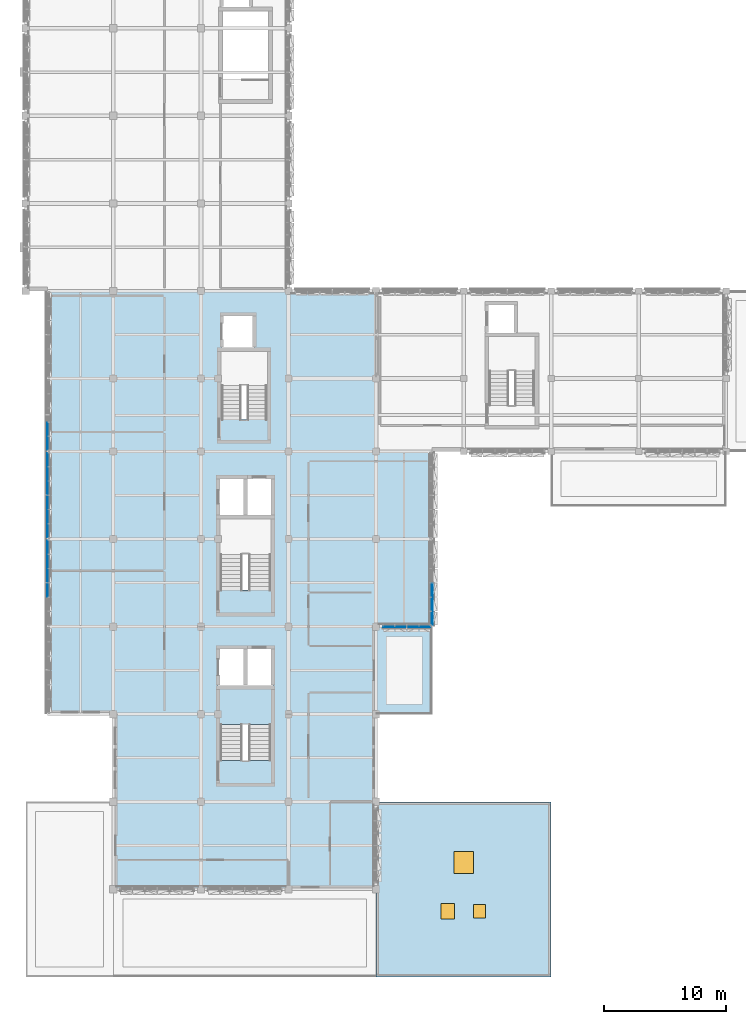
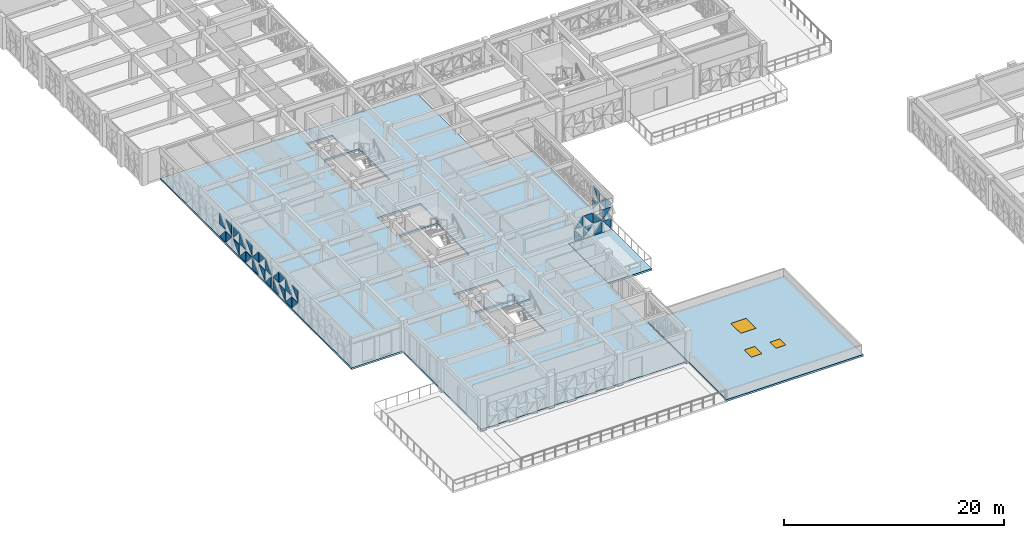
# One storey, part 26 of 74: 38 plates, 4 slabs, 2 doors, 1 window, 3 openings, 6 elements without a shape of their own.
"""IFC4 building model written with IfcOpenShell, lengths in metres."""

import ifcopenshell
import ifcopenshell.guid

model = None  # the IFC model being written
_history = None  # IfcOwnerHistory: only IFC2X3 demands one
_inside = {}  # id of a spatial element -> (the spatial element, [elements in it])
_under = {}  # id of a project, library or spatial element -> (it, [spatial elements below it])
_declared = {}  # id of a project -> (the project, [libraries it declares])
_typed = {}  # id of a type object -> (the type object, [elements of that type])
_made_of = {}  # id of a material, layer set ... -> (it, [elements and type objects made of it])


def new_model(schema):
    """Start an empty IFC model of exactly this schema.

    Asked for "IFC4X3", IfcOpenShell would pick the latest addendum, in which some entities
    have other attributes; the version numbers below select the first issue.
    IFC2X3 requires an IfcOwnerHistory on every rooted entity: one is made here for all.
    """
    global model, _history
    if schema == "IFC4X3":
        model = ifcopenshell.file(schema_version=(4, 3, 0, 0))
    else:
        model = ifcopenshell.file(schema=schema)
    _inside.clear()
    _under.clear()
    _declared.clear()
    _typed.clear()
    _made_of.clear()
    _history = None
    if model.schema == "IFC2X3":
        org = make("IfcOrganization", Name="unknown")
        user = make(
            "IfcPersonAndOrganization",
            ThePerson=make("IfcPerson", FamilyName="unknown"),
            TheOrganization=org,
        )
        app = make(
            "IfcApplication",
            ApplicationDeveloper=org,
            Version="unknown",
            ApplicationFullName="unknown",
            ApplicationIdentifier="unknown",
        )
        _history = make(
            "IfcOwnerHistory",
            OwningUser=user,
            OwningApplication=app,
            ChangeAction="ADDED",
            CreationDate=0,
        )
    return model


def make(cls, **values):
    """One entity of the class cls with the attributes given. An attribute that is None is left unset."""
    return model.create_entity(
        cls, **{name: value for name, value in values.items() if value is not None}
    )


def rooted(cls, **values):
    """An entity with a GlobalId (a new one), such as an element, a storey or a relation."""
    return make(cls, GlobalId=ifcopenshell.guid.new(), OwnerHistory=_history, **values)


def si_unit(unit_type, name, prefix=None):
    """IfcSIUnit, for example si_unit("LENGTHUNIT", "METRE", prefix="MILLI")."""
    return make("IfcSIUnit", UnitType=unit_type, Prefix=prefix, Name=name)


def assignment(units):
    """IfcUnitAssignment: the units of a project."""
    return None if units is None else make("IfcUnitAssignment", Units=units)


def point(xyz):
    """IfcCartesianPoint."""
    return None if xyz is None else make("IfcCartesianPoint", Coordinates=xyz)


def direction(xyz):
    """IfcDirection."""
    return None if xyz is None else make("IfcDirection", DirectionRatios=xyz)


def frame(location, z_axis=None, x_axis=None):
    """IfcAxis2Placement3D, a coordinate frame: its origin and axes. An axis left out is left unset."""
    return make(
        "IfcAxis2Placement3D",
        Location=point(location),
        Axis=direction(z_axis),
        RefDirection=direction(x_axis),
    )


def frame_2d(location, x_axis=None):
    """IfcAxis2Placement2D, a coordinate frame in the plane: its origin and x axis."""
    return make(
        "IfcAxis2Placement2D", Location=point(location), RefDirection=direction(x_axis)
    )


def origin():
    """The frame at (0, 0, 0) with its axes left unset."""
    return frame((0.0, 0.0, 0.0))


def origin_2d():
    """The frame at (0, 0) in the plane with its x axis left unset."""
    return frame_2d((0.0, 0.0))


def place(relative_to, where):
    """IfcLocalPlacement: puts the frame where relative to a parent placement (None: the world)."""
    return make(
        "IfcLocalPlacement", PlacementRelTo=relative_to, RelativePlacement=where
    )


def context(
    kind, dimensions, precision=None, world=None, true_north=None, identifier=None
):
    """IfcGeometricRepresentationContext, for example the 3D "Model" context."""
    return make(
        "IfcGeometricRepresentationContext",
        ContextIdentifier=identifier,
        ContextType=kind,
        CoordinateSpaceDimension=dimensions,
        Precision=precision,
        WorldCoordinateSystem=world,
        TrueNorth=true_north,
    )


def subcontext(parent, identifier, kind, view, scale=None):
    """IfcGeometricRepresentationSubContext, for example "Body" below "Model"."""
    return make(
        "IfcGeometricRepresentationSubContext",
        ContextIdentifier=identifier,
        ContextType=kind,
        ParentContext=parent,
        TargetScale=scale,
        TargetView=view,
    )


def project(units=None, contexts=None):
    """IfcProject with its units and contexts."""
    return rooted(
        "IfcProject",
        Name="project",
        RepresentationContexts=contexts,
        UnitsInContext=assignment(units),
    )


def spatial(cls, under=None, at=None, **own):
    """A site, building, storey or space (cls), placed at a placement, below another one or the project."""
    s = rooted(cls, ObjectPlacement=at, **own)
    if under is not None:
        _under.setdefault(under.id(), (under, []))[1].append(s)
    return s


def polyline(points):
    """IfcPolyline through the points."""
    return make("IfcPolyline", Points=[point(p) for p in points])


def profile(cls, at=None, kind="AREA", **sizes):
    """A parametric profile (cls). Its sizes go by their IFC names, for example OverallWidth=200.0."""
    return make(cls, ProfileType=kind, Position=at, **sizes)


def rectangle(**sizes):
    """IfcRectangleProfileDef."""
    return profile("IfcRectangleProfileDef", **sizes)


def outline(outer, holes=None, kind="AREA"):
    """IfcArbitraryClosedProfileDef: a profile drawn as a closed curve; with holes, ...WithVoids."""
    if holes is None:
        return make("IfcArbitraryClosedProfileDef", ProfileType=kind, OuterCurve=outer)
    return make(
        "IfcArbitraryProfileDefWithVoids",
        ProfileType=kind,
        OuterCurve=outer,
        InnerCurves=holes,
    )


def extrude(swept, where, along, depth):
    """IfcExtrudedAreaSolid: the profile swept, set in the frame where, extruded along a direction by depth."""
    return make(
        "IfcExtrudedAreaSolid",
        SweptArea=swept,
        Position=where,
        ExtrudedDirection=direction(along),
        Depth=depth,
    )


def shape(context_of_items, identifier, shape_type, items):
    """IfcShapeRepresentation: the items that make up one representation, for example the "Body"."""
    return make(
        "IfcShapeRepresentation",
        ContextOfItems=context_of_items,
        RepresentationIdentifier=identifier,
        RepresentationType=shape_type,
        Items=items,
    )


def material(Name=None, Category=None):
    """IfcMaterial."""
    return make("IfcMaterial", Name=Name, Category=Category)


def layer(
    of_material, thickness, ventilated=None, Name=None, Category=None, Priority=None
):
    """IfcMaterialLayer: one layer of a wall or slab, of a material (None: an air gap)."""
    return make(
        "IfcMaterialLayer",
        Material=of_material,
        LayerThickness=thickness,
        IsVentilated=ventilated,
        Name=Name,
        Category=Category,
        Priority=Priority,
    )


def layer_set(layers, Name=None):
    """IfcMaterialLayerSet."""
    return make("IfcMaterialLayerSet", MaterialLayers=layers, LayerSetName=Name)


def made_of(thing, what):
    """Note that an element or type object is made of a material, layer set ...; save() writes the relation."""
    if what is not None:
        _made_of.setdefault(what.id(), (what, []))[1].append(thing)
    return thing


def type_object(cls, material=None, **own):
    """A type object (cls), such as IfcWallType, which elements share."""
    return made_of(rooted(cls, **own), material)


def element(
    cls,
    number,
    at=None,
    inside=None,
    cuts=None,
    type_object=None,
    material=None,
    context=None,
    identifier="Body",
    shape_type=None,
    held_by="IfcProductDefinitionShape",
    body=None,
    shapes=None,
    **own,
):
    """One element of the class cls, such as IfcWall. Its Tag is "e" and its number.

    at: its placement. inside: the storey or other place that contains it. cuts: it is an
    opening in that element (IfcRelVoidsElement). A single representation is given by context,
    identifier, shape_type and body (its items); several are given by shapes. held_by: the class
    of the entity that holds the representations. save() writes the other relations.
    """
    e = rooted(cls, Tag="e%d" % number, ObjectPlacement=at, **own)
    if body is not None:
        shapes = [shape(context, identifier, shape_type, body)]
    if shapes is not None:
        e.Representation = make(held_by, Representations=shapes)
    if inside is not None:
        _inside.setdefault(inside.id(), (inside, []))[1].append(e)
    if cuts is not None:
        rooted(
            "IfcRelVoidsElement", RelatingBuildingElement=cuts, RelatedOpeningElement=e
        )
    if type_object is not None:
        _typed.setdefault(type_object.id(), (type_object, []))[1].append(e)
    return made_of(e, material)


def fill(opening, filler):
    """IfcRelFillsElement: the door or window that sits in an opening."""
    return rooted(
        "IfcRelFillsElement",
        RelatingOpeningElement=opening,
        RelatedBuildingElement=filler,
    )


def aggregate(whole, parts):
    """IfcRelAggregates: a whole, such as a stair, and the parts it consists of."""
    return rooted("IfcRelAggregates", RelatingObject=whole, RelatedObjects=parts)


def save(model, path):
    """Write the relations noted so far, then the file.

    IfcRelAggregates (storeys below a building ...), IfcRelContainedInSpatialStructure (elements
    in a storey), IfcRelDefinesByType, IfcRelAssociatesMaterial and IfcRelDeclares: one each for
    every whole, place, type object, material and project.
    """
    for whole, parts in _under.values():
        aggregate(whole, parts)
    for where, things in _inside.values():
        rooted(
            "IfcRelContainedInSpatialStructure",
            RelatedElements=things,
            RelatingStructure=where,
        )
    for kind, things in _typed.values():
        rooted("IfcRelDefinesByType", RelatedObjects=things, RelatingType=kind)
    for what, things in _made_of.values():
        rooted("IfcRelAssociatesMaterial", RelatedObjects=things, RelatingMaterial=what)
    for by, libraries in _declared.values():
        rooted("IfcRelDeclares", RelatingContext=by, RelatedDefinitions=libraries)
    model.write(path)


model = new_model("IFC4")

# Units and contexts
model_context = context("Model", 3, precision=1e-05, world=origin(), true_north=direction((0.0, 1.0)))
body_context = subcontext(model_context, "Body", "Model", "MODEL_VIEW")
ifc_project = project(units=[si_unit("LENGTHUNIT", "METRE"), si_unit("AREAUNIT", "SQUARE_METRE"), si_unit("VOLUMEUNIT", "CUBIC_METRE"), si_unit("PLANEANGLEUNIT", "RADIAN"), si_unit("MASSUNIT", "GRAM", prefix="KILO")], contexts=[model_context])

# Site, building, storey
site_placement = place(None, origin())
site = spatial("IfcSite", under=ifc_project, at=site_placement, CompositionType="ELEMENT")
building_placement = place(site_placement, origin())
building = spatial("IfcBuilding", under=site, at=building_placement, Name="Alvorim Cloister Faculty of Sciences", CompositionType="ELEMENT")
storey_placement = place(building_placement, frame((0.0, 0.0, 15.75)))
storey = spatial("IfcBuildingStorey", under=building, at=storey_placement, Name="L04", CompositionType="ELEMENT", Elevation=15.75)

# Curtain wall, plates
ifc_material_1 = material(Name="Aluminium and Low-E Glass Curtain Wall", Category="aluminium")
curtain_wall_type_1 = type_object("IfcCurtainWallType", Name="CW-TRI-7040x2857", PredefinedType="USERDEFINED", material=ifc_material_1)
curtain_wall_1_placement = place(storey_placement, origin())
curtain_wall_1 = element("IfcCurtainWall", 1, at=curtain_wall_1_placement, inside=storey, type_object=curtain_wall_type_1, Name="L04 Diagonal Cassette Curtain Wall CW-0166", ObjectType="UNITISED CURTAIN WALL", PredefinedType="USERDEFINED")
ifc_material_2 = material(Name="Double Low-E Laminated Glass", Category="glass")
ifc_layer_1 = layer(ifc_material_2, 0.0400390625)
ifc_layer_set_1 = layer_set([ifc_layer_1], Name="Double Low-E Laminated Glass")
plate_type = type_object("IfcPlateType", Name="PN-GLZ-40", PredefinedType="CURTAIN_PANEL", material=ifc_layer_set_1)
plate_1_placement = place(storey_placement, frame((1.77490234375, 31.25927734375, 0.139892578125), z_axis=(0.0, 0.0, 1.0), x_axis=(0.0, 1.0, 0.0)))
plate_1 = element("IfcPlate", 2, at=plate_1_placement, type_object=plate_type, Name="Diagonal Glazed Triangle TRI-TR", PredefinedType="CURTAIN_PANEL", context=body_context, shape_type="SweptSolid", body=[
    extrude(outline(polyline([(1.1083984375, 0.001953125), (1.1083984375, 1.218505859375), (0.001953125, 1.218505859375), (1.1083984375, 0.001953125)])), frame((0.0, 0.02490234375, 0.0), z_axis=(0.0, -1.0, 0.0), x_axis=(1.0, 0.0, 0.0)), (0.0, 0.0, 1.0), 0.050048828125),
])
plate_2_placement = place(storey_placement, frame((1.77490234375, 31.25927734375, 1.49853515625), z_axis=(0.0, 0.0, 1.0), x_axis=(0.0, 1.0, 0.0)))
plate_2 = element("IfcPlate", 3, at=plate_2_placement, type_object=plate_type, Name="Diagonal Glazed Triangle TRI-TL", PredefinedType="CURTAIN_PANEL", context=body_context, shape_type="SweptSolid", body=[
    extrude(outline(polyline([(1.1064453125, 1.218505859375), (0.0, 1.218505859375), (0.0, 0.001953125), (1.1064453125, 1.218505859375)])), frame((0.0, 0.02490234375, 0.0), z_axis=(0.0, -1.0, 0.0), x_axis=(1.0, 0.0, 0.0)), (0.0, 0.0, 1.0), 0.050048828125),
])
plate_3_placement = place(storey_placement, frame((1.77490234375, 32.4326171875, 0.139892578125), z_axis=(0.0, 0.0, 1.0), x_axis=(0.0, 1.0, 0.0)))
plate_3 = element("IfcPlate", 4, at=plate_3_placement, type_object=plate_type, Name="Diagonal Glazed Triangle TRI-BL", PredefinedType="CURTAIN_PANEL", context=body_context, shape_type="SweptSolid", body=[
    extrude(outline(polyline([(0.0, 0.0), (1.1064453125, 0.0), (0.0, 1.216552734375), (0.0, 0.0)])), frame((0.0, 0.02490234375, 0.0), z_axis=(0.0, -1.0, 0.0), x_axis=(1.0, 0.0, 0.0)), (0.0, 0.0, 1.0), 0.050048828125),
])
plate_4_placement = place(storey_placement, frame((1.77490234375, 32.4326171875, 1.49853515625), z_axis=(0.0, 0.0, 1.0), x_axis=(0.0, 1.0, 0.0)))
plate_4 = element("IfcPlate", 5, at=plate_4_placement, type_object=plate_type, Name="Diagonal Glazed Triangle TRI-BR", PredefinedType="CURTAIN_PANEL", context=body_context, shape_type="SweptSolid", body=[
    extrude(outline(polyline([(0.001953125, 0.0), (1.1083984375, 0.0), (1.1083984375, 1.216552734375), (0.001953125, 0.0)])), frame((0.0, 0.02490234375, 0.0), z_axis=(0.0, -1.0, 0.0), x_axis=(1.0, 0.0, 0.0)), (0.0, 0.0, 1.0), 0.050048828125),
])
plate_5_placement = place(storey_placement, frame((1.77490234375, 33.605712890625, 0.139892578125), z_axis=(0.0, 0.0, 1.0), x_axis=(0.0, 1.0, 0.0)))
plate_5 = element("IfcPlate", 6, at=plate_5_placement, type_object=plate_type, Name="Diagonal Glazed Triangle TRI-TL", PredefinedType="CURTAIN_PANEL", context=body_context, shape_type="SweptSolid", body=[
    extrude(outline(polyline([(1.1064453125, 1.218505859375), (0.0, 1.218505859375), (0.0, 0.001953125), (1.1064453125, 1.218505859375)])), frame((0.0, 0.02490234375, 0.0), z_axis=(0.0, -1.0, 0.0), x_axis=(1.0, 0.0, 0.0)), (0.0, 0.0, 1.0), 0.050048828125),
])
plate_6_placement = place(storey_placement, frame((1.77490234375, 33.605712890625, 1.49853515625), z_axis=(0.0, 0.0, 1.0), x_axis=(0.0, 1.0, 0.0)))
plate_6 = element("IfcPlate", 7, at=plate_6_placement, type_object=plate_type, Name="Diagonal Glazed Triangle TRI-TR", PredefinedType="CURTAIN_PANEL", context=body_context, shape_type="SweptSolid", body=[
    extrude(outline(polyline([(1.1083984375, 0.001953125), (1.1083984375, 1.218505859375), (0.001953125, 1.218505859375), (1.1083984375, 0.001953125)])), frame((0.0, 0.02490234375, 0.0), z_axis=(0.0, -1.0, 0.0), x_axis=(1.0, 0.0, 0.0)), (0.0, 0.0, 1.0), 0.050048828125),
])
plate_7_placement = place(storey_placement, frame((1.77490234375, 34.779052734375, 0.139892578125), z_axis=(0.0, 0.0, 1.0), x_axis=(0.0, 1.0, 0.0)))
plate_7 = element("IfcPlate", 8, at=plate_7_placement, type_object=plate_type, Name="Diagonal Glazed Triangle TRI-BR", PredefinedType="CURTAIN_PANEL", context=body_context, shape_type="SweptSolid", body=[
    extrude(outline(polyline([(0.001953125, 0.0), (1.075927734375, 0.0), (1.075927734375, 1.216552734375), (0.001953125, 0.0)])), frame((0.0, 0.02490234375, 0.0), z_axis=(0.0, -1.0, 0.0), x_axis=(1.0, 0.0, 0.0)), (0.0, 0.0, 1.0), 0.050048828125),
])
plate_8_placement = place(storey_placement, frame((1.77490234375, 34.779052734375, 1.49853515625), z_axis=(0.0, 0.0, 1.0), x_axis=(0.0, 1.0, 0.0)))
plate_8 = element("IfcPlate", 9, at=plate_8_placement, type_object=plate_type, Name="Diagonal Glazed Triangle TRI-BL", PredefinedType="CURTAIN_PANEL", context=body_context, shape_type="SweptSolid", body=[
    extrude(outline(polyline([(0.0, 0.0), (1.073974609375, 0.0), (0.0, 1.216552734375), (0.0, 0.0)])), frame((0.0, 0.02490234375, 0.0), z_axis=(0.0, -1.0, 0.0), x_axis=(1.0, 0.0, 0.0)), (0.0, 0.0, 1.0), 0.050048828125),
])
aggregate(curtain_wall_1, [plate_1, plate_2, plate_3, plate_4, plate_5, plate_6, plate_7, plate_8])

curtain_wall_2_placement = place(storey_placement, origin())
curtain_wall_2 = element("IfcCurtainWall", 10, at=curtain_wall_2_placement, inside=storey, type_object=curtain_wall_type_1, Name="L04 Diagonal Cassette Curtain Wall CW-0167", ObjectType="UNITISED CURTAIN WALL", PredefinedType="USERDEFINED")
plate_9_placement = place(storey_placement, frame((1.77490234375, 36.14501953125, 0.139892578125), z_axis=(0.0, 0.0, 1.0), x_axis=(0.0, 1.0, 0.0)))
plate_9 = element("IfcPlate", 11, at=plate_9_placement, type_object=plate_type, Name="Diagonal Glazed Triangle TRI-BL", PredefinedType="CURTAIN_PANEL", context=body_context, shape_type="SweptSolid", body=[
    extrude(outline(polyline([(0.0, 0.0), (1.073974609375, 0.0), (0.0, 1.216552734375), (0.0, 0.0)])), frame((0.0, 0.02490234375, 0.0), z_axis=(0.0, -1.0, 0.0), x_axis=(1.0, 0.0, 0.0)), (0.0, 0.0, 1.0), 0.050048828125),
])
plate_10_placement = place(storey_placement, frame((1.77490234375, 36.14501953125, 1.49853515625), z_axis=(0.0, 0.0, 1.0), x_axis=(0.0, 1.0, 0.0)))
plate_10 = element("IfcPlate", 12, at=plate_10_placement, type_object=plate_type, Name="Diagonal Glazed Triangle TRI-BR", PredefinedType="CURTAIN_PANEL", context=body_context, shape_type="SweptSolid", body=[
    extrude(outline(polyline([(0.001953125, 0.0), (1.075927734375, 0.0), (1.075927734375, 1.216552734375), (0.001953125, 0.0)])), frame((0.0, 0.02490234375, 0.0), z_axis=(0.0, -1.0, 0.0), x_axis=(1.0, 0.0, 0.0)), (0.0, 0.0, 1.0), 0.050048828125),
])
plate_11_placement = place(storey_placement, frame((1.77490234375, 37.285888671875, 0.139892578125), z_axis=(0.0, 0.0, 1.0), x_axis=(0.0, 1.0, 0.0)))
plate_11 = element("IfcPlate", 13, at=plate_11_placement, type_object=plate_type, Name="Diagonal Glazed Triangle TRI-TL", PredefinedType="CURTAIN_PANEL", context=body_context, shape_type="SweptSolid", body=[
    extrude(outline(polyline([(1.1064453125, 1.218505859375), (0.0, 1.218505859375), (0.0, 0.001953125), (1.1064453125, 1.218505859375)])), frame((0.0, 0.02490234375, 0.0), z_axis=(0.0, -1.0, 0.0), x_axis=(1.0, 0.0, 0.0)), (0.0, 0.0, 1.0), 0.050048828125),
])
plate_12_placement = place(storey_placement, frame((1.77490234375, 37.285888671875, 1.49853515625), z_axis=(0.0, 0.0, 1.0), x_axis=(0.0, 1.0, 0.0)))
plate_12 = element("IfcPlate", 14, at=plate_12_placement, type_object=plate_type, Name="Diagonal Glazed Triangle TRI-TR", PredefinedType="CURTAIN_PANEL", context=body_context, shape_type="SweptSolid", body=[
    extrude(outline(polyline([(1.1083984375, 0.001953125), (1.1083984375, 1.218505859375), (0.001953125, 1.218505859375), (1.1083984375, 0.001953125)])), frame((0.0, 0.02490234375, 0.0), z_axis=(0.0, -1.0, 0.0), x_axis=(1.0, 0.0, 0.0)), (0.0, 0.0, 1.0), 0.050048828125),
])
plate_13_placement = place(storey_placement, frame((1.77490234375, 38.459228515625, 0.139892578125), z_axis=(0.0, 0.0, 1.0), x_axis=(0.0, 1.0, 0.0)))
plate_13 = element("IfcPlate", 15, at=plate_13_placement, type_object=plate_type, Name="Diagonal Glazed Triangle TRI-BR", PredefinedType="CURTAIN_PANEL", context=body_context, shape_type="SweptSolid", body=[
    extrude(outline(polyline([(0.001953125, 0.0), (1.1083984375, 0.0), (1.1083984375, 1.216552734375), (0.001953125, 0.0)])), frame((0.0, 0.02490234375, 0.0), z_axis=(0.0, -1.0, 0.0), x_axis=(1.0, 0.0, 0.0)), (0.0, 0.0, 1.0), 0.050048828125),
])
plate_14_placement = place(storey_placement, frame((1.77490234375, 38.459228515625, 1.49853515625), z_axis=(0.0, 0.0, 1.0), x_axis=(0.0, 1.0, 0.0)))
plate_14 = element("IfcPlate", 16, at=plate_14_placement, type_object=plate_type, Name="Diagonal Glazed Triangle TRI-BL", PredefinedType="CURTAIN_PANEL", context=body_context, shape_type="SweptSolid", body=[
    extrude(outline(polyline([(0.0, 0.0), (1.1064453125, 0.0), (0.0, 1.216552734375), (0.0, 0.0)])), frame((0.0, 0.02490234375, 0.0), z_axis=(0.0, -1.0, 0.0), x_axis=(1.0, 0.0, 0.0)), (0.0, 0.0, 1.0), 0.050048828125),
])
plate_15_placement = place(storey_placement, frame((1.77490234375, 39.632568359375, 0.139892578125), z_axis=(0.0, 0.0, 1.0), x_axis=(0.0, 1.0, 0.0)))
plate_15 = element("IfcPlate", 17, at=plate_15_placement, type_object=plate_type, Name="Diagonal Glazed Triangle TRI-TR", PredefinedType="CURTAIN_PANEL", context=body_context, shape_type="SweptSolid", body=[
    extrude(outline(polyline([(1.1083984375, 0.001953125), (1.1083984375, 1.218505859375), (0.001953125, 1.218505859375), (1.1083984375, 0.001953125)])), frame((0.0, 0.02490234375, 0.0), z_axis=(0.0, -1.0, 0.0), x_axis=(1.0, 0.0, 0.0)), (0.0, 0.0, 1.0), 0.050048828125),
])
plate_16_placement = place(storey_placement, frame((1.77490234375, 39.632568359375, 1.49853515625), z_axis=(0.0, 0.0, 1.0), x_axis=(0.0, 1.0, 0.0)))
plate_16 = element("IfcPlate", 18, at=plate_16_placement, type_object=plate_type, Name="Diagonal Glazed Triangle TRI-TL", PredefinedType="CURTAIN_PANEL", context=body_context, shape_type="SweptSolid", body=[
    extrude(outline(polyline([(1.1064453125, 1.218505859375), (0.0, 1.218505859375), (0.0, 0.001953125), (1.1064453125, 1.218505859375)])), frame((0.0, 0.02490234375, 0.0), z_axis=(0.0, -1.0, 0.0), x_axis=(1.0, 0.0, 0.0)), (0.0, 0.0, 1.0), 0.050048828125),
])
plate_17_placement = place(storey_placement, frame((1.77490234375, 40.805908203125, 0.139892578125), z_axis=(0.0, 0.0, 1.0), x_axis=(0.0, 1.0, 0.0)))
plate_17 = element("IfcPlate", 19, at=plate_17_placement, type_object=plate_type, Name="Diagonal Glazed Triangle TRI-BL", PredefinedType="CURTAIN_PANEL", context=body_context, shape_type="SweptSolid", body=[
    extrude(outline(polyline([(0.0, 0.0), (1.1064453125, 0.0), (0.0, 1.216552734375), (0.0, 0.0)])), frame((0.0, 0.02490234375, 0.0), z_axis=(0.0, -1.0, 0.0), x_axis=(1.0, 0.0, 0.0)), (0.0, 0.0, 1.0), 0.050048828125),
])
plate_18_placement = place(storey_placement, frame((1.77490234375, 40.805908203125, 1.49853515625), z_axis=(0.0, 0.0, 1.0), x_axis=(0.0, 1.0, 0.0)))
plate_18 = element("IfcPlate", 20, at=plate_18_placement, type_object=plate_type, Name="Diagonal Glazed Triangle TRI-BR", PredefinedType="CURTAIN_PANEL", context=body_context, shape_type="SweptSolid", body=[
    extrude(outline(polyline([(0.001953125, 0.0), (1.1083984375, 0.0), (1.1083984375, 1.216552734375), (0.001953125, 0.0)])), frame((0.0, 0.02490234375, 0.0), z_axis=(0.0, -1.0, 0.0), x_axis=(1.0, 0.0, 0.0)), (0.0, 0.0, 1.0), 0.050048828125),
])
plate_19_placement = place(storey_placement, frame((1.77490234375, 41.979248046875, 0.139892578125), z_axis=(0.0, 0.0, 1.0), x_axis=(0.0, 1.0, 0.0)))
plate_19 = element("IfcPlate", 21, at=plate_19_placement, type_object=plate_type, Name="Diagonal Glazed Triangle TRI-TL", PredefinedType="CURTAIN_PANEL", context=body_context, shape_type="SweptSolid", body=[
    extrude(outline(polyline([(1.073974609375, 1.218505859375), (0.0, 1.218505859375), (0.0, 0.001953125), (1.073974609375, 1.218505859375)])), frame((0.0, 0.02490234375, 0.0), z_axis=(0.0, -1.0, 0.0), x_axis=(1.0, 0.0, 0.0)), (0.0, 0.0, 1.0), 0.050048828125),
])
plate_20_placement = place(storey_placement, frame((1.77490234375, 41.979248046875, 1.49853515625), z_axis=(0.0, 0.0, 1.0), x_axis=(0.0, 1.0, 0.0)))
plate_20 = element("IfcPlate", 22, at=plate_20_placement, type_object=plate_type, Name="Diagonal Glazed Triangle TRI-TR", PredefinedType="CURTAIN_PANEL", context=body_context, shape_type="SweptSolid", body=[
    extrude(outline(polyline([(1.075927734375, 0.001953125), (1.075927734375, 1.218505859375), (0.001953125, 1.218505859375), (1.075927734375, 0.001953125)])), frame((0.0, 0.02490234375, 0.0), z_axis=(0.0, -1.0, 0.0), x_axis=(1.0, 0.0, 0.0)), (0.0, 0.0, 1.0), 0.050048828125),
])
aggregate(curtain_wall_2, [plate_9, plate_10, plate_11, plate_12, plate_13, plate_14, plate_15, plate_16, plate_17, plate_18, plate_19, plate_20])

curtain_wall_type_2 = type_object("IfcCurtainWallType", Name="CW-TRI-5840x2857", PredefinedType="USERDEFINED", material=ifc_material_1)
curtain_wall_3_placement = place(storey_placement, origin())
curtain_wall_3 = element("IfcCurtainWall", 23, at=curtain_wall_3_placement, inside=storey, type_object=curtain_wall_type_2, Name="L04 Diagonal Cassette Curtain Wall CW-0168", ObjectType="UNITISED CURTAIN WALL", PredefinedType="USERDEFINED")
plate_21_placement = place(storey_placement, frame((1.77490234375, 43.344970703125, 0.139892578125), z_axis=(0.0, 0.0, 1.0), x_axis=(0.0, 1.0, 0.0)))
plate_21 = element("IfcPlate", 24, at=plate_21_placement, type_object=plate_type, Name="Diagonal Glazed Triangle TRI-TR", PredefinedType="CURTAIN_PANEL", context=body_context, shape_type="SweptSolid", body=[
    extrude(outline(polyline([(1.070556640625, 0.001953125), (1.070556640625, 1.218505859375), (0.001953125, 1.218505859375), (1.070556640625, 0.001953125)])), frame((0.0, 0.02490234375, 0.0), z_axis=(0.0, -1.0, 0.0), x_axis=(1.0, 0.0, 0.0)), (0.0, 0.0, 1.0), 0.050048828125),
])
plate_22_placement = place(storey_placement, frame((1.77490234375, 43.344970703125, 1.49853515625), z_axis=(0.0, 0.0, 1.0), x_axis=(0.0, 1.0, 0.0)))
plate_22 = element("IfcPlate", 25, at=plate_22_placement, type_object=plate_type, Name="Diagonal Glazed Triangle TRI-TL", PredefinedType="CURTAIN_PANEL", context=body_context, shape_type="SweptSolid", body=[
    extrude(outline(polyline([(1.068603515625, 1.218505859375), (0.0, 1.218505859375), (0.0, 0.001953125), (1.068603515625, 1.218505859375)])), frame((0.0, 0.02490234375, 0.0), z_axis=(0.0, -1.0, 0.0), x_axis=(1.0, 0.0, 0.0)), (0.0, 0.0, 1.0), 0.050048828125),
])
plate_23_placement = place(storey_placement, frame((1.77490234375, 44.48046875, 0.139892578125), z_axis=(0.0, 0.0, 1.0), x_axis=(0.0, 1.0, 0.0)))
plate_23 = element("IfcPlate", 26, at=plate_23_placement, type_object=plate_type, Name="Diagonal Glazed Triangle TRI-BL", PredefinedType="CURTAIN_PANEL", context=body_context, shape_type="SweptSolid", body=[
    extrude(outline(polyline([(0.0, 0.0), (1.10107421875, 0.0), (0.0, 1.216552734375), (0.0, 0.0)])), frame((0.0, 0.02490234375, 0.0), z_axis=(0.0, -1.0, 0.0), x_axis=(1.0, 0.0, 0.0)), (0.0, 0.0, 1.0), 0.050048828125),
])
plate_24_placement = place(storey_placement, frame((1.77490234375, 44.48046875, 1.49853515625), z_axis=(0.0, 0.0, 1.0), x_axis=(0.0, 1.0, 0.0)))
plate_24 = element("IfcPlate", 27, at=plate_24_placement, type_object=plate_type, Name="Diagonal Glazed Triangle TRI-BR", PredefinedType="CURTAIN_PANEL", context=body_context, shape_type="SweptSolid", body=[
    extrude(outline(polyline([(0.001953125, 0.0), (1.10302734375, 0.0), (1.10302734375, 1.216552734375), (0.001953125, 0.0)])), frame((0.0, 0.02490234375, 0.0), z_axis=(0.0, -1.0, 0.0), x_axis=(1.0, 0.0, 0.0)), (0.0, 0.0, 1.0), 0.050048828125),
])
aggregate(curtain_wall_3, [plate_21, plate_22, plate_23, plate_24])

curtain_wall_4_placement = place(storey_placement, origin())
curtain_wall_4 = element("IfcCurtainWall", 28, at=curtain_wall_4_placement, inside=storey, type_object=curtain_wall_type_1, Name="L04 Diagonal Cassette Curtain Wall CW-0198", ObjectType="UNITISED CURTAIN WALL", PredefinedType="USERDEFINED")
plate_25_placement = place(storey_placement, frame((33.425048828125, 28.945068359375, 0.139892578125), z_axis=(0.0, 0.0, 1.0), x_axis=(0.0, 1.0, 0.0)))
plate_25 = element("IfcPlate", 29, at=plate_25_placement, type_object=plate_type, Name="Diagonal Glazed Triangle TRI-TL", PredefinedType="CURTAIN_PANEL", context=body_context, shape_type="SweptSolid", body=[
    extrude(outline(polyline([(1.073974609375, 1.218505859375), (0.0, 1.218505859375), (0.0, 0.001953125), (1.073974609375, 1.218505859375)])), frame((0.0, 0.02490234375, 0.0), z_axis=(0.0, -1.0, 0.0), x_axis=(1.0, 0.0, 0.0)), (0.0, 0.0, 1.0), 0.050048828125),
])
plate_26_placement = place(storey_placement, frame((33.425048828125, 28.945068359375, 1.49853515625), z_axis=(0.0, 0.0, 1.0), x_axis=(0.0, 1.0, 0.0)))
plate_26 = element("IfcPlate", 30, at=plate_26_placement, type_object=plate_type, Name="Diagonal Glazed Triangle TRI-TR", PredefinedType="CURTAIN_PANEL", context=body_context, shape_type="SweptSolid", body=[
    extrude(outline(polyline([(1.075927734375, 0.001953125), (1.075927734375, 1.218505859375), (0.001953125, 1.218505859375), (1.075927734375, 0.001953125)])), frame((0.0, 0.02490234375, 0.0), z_axis=(0.0, -1.0, 0.0), x_axis=(1.0, 0.0, 0.0)), (0.0, 0.0, 1.0), 0.050048828125),
])
plate_27_placement = place(storey_placement, frame((33.425048828125, 30.0859375, 0.139892578125), z_axis=(0.0, 0.0, 1.0), x_axis=(0.0, 1.0, 0.0)))
plate_27 = element("IfcPlate", 31, at=plate_27_placement, type_object=plate_type, Name="Diagonal Glazed Triangle TRI-BR", PredefinedType="CURTAIN_PANEL", context=body_context, shape_type="SweptSolid", body=[
    extrude(outline(polyline([(0.001953125, 0.0), (1.1083984375, 0.0), (1.1083984375, 1.216552734375), (0.001953125, 0.0)])), frame((0.0, 0.02490234375, 0.0), z_axis=(0.0, -1.0, 0.0), x_axis=(1.0, 0.0, 0.0)), (0.0, 0.0, 1.0), 0.050048828125),
])
plate_28_placement = place(storey_placement, frame((33.425048828125, 30.0859375, 1.49853515625), z_axis=(0.0, 0.0, 1.0), x_axis=(0.0, 1.0, 0.0)))
plate_28 = element("IfcPlate", 32, at=plate_28_placement, type_object=plate_type, Name="Diagonal Glazed Triangle TRI-BL", PredefinedType="CURTAIN_PANEL", context=body_context, shape_type="SweptSolid", body=[
    extrude(outline(polyline([(0.0, 0.0), (1.1064453125, 0.0), (0.0, 1.216552734375), (0.0, 0.0)])), frame((0.0, 0.02490234375, 0.0), z_axis=(0.0, -1.0, 0.0), x_axis=(1.0, 0.0, 0.0)), (0.0, 0.0, 1.0), 0.050048828125),
])
plate_29_placement = place(storey_placement, frame((33.425048828125, 31.25927734375, 0.139892578125), z_axis=(0.0, 0.0, 1.0), x_axis=(0.0, 1.0, 0.0)))
plate_29 = element("IfcPlate", 33, at=plate_29_placement, type_object=plate_type, Name="Diagonal Glazed Triangle TRI-TR", PredefinedType="CURTAIN_PANEL", context=body_context, shape_type="SweptSolid", body=[
    extrude(outline(polyline([(1.1083984375, 0.001953125), (1.1083984375, 1.218505859375), (0.001953125, 1.218505859375), (1.1083984375, 0.001953125)])), frame((0.0, 0.02490234375, 0.0), z_axis=(0.0, -1.0, 0.0), x_axis=(1.0, 0.0, 0.0)), (0.0, 0.0, 1.0), 0.050048828125),
])
plate_30_placement = place(storey_placement, frame((33.425048828125, 31.25927734375, 1.49853515625), z_axis=(0.0, 0.0, 1.0), x_axis=(0.0, 1.0, 0.0)))
plate_30 = element("IfcPlate", 34, at=plate_30_placement, type_object=plate_type, Name="Diagonal Glazed Triangle TRI-TL", PredefinedType="CURTAIN_PANEL", context=body_context, shape_type="SweptSolid", body=[
    extrude(outline(polyline([(1.1064453125, 1.218505859375), (0.0, 1.218505859375), (0.0, 0.001953125), (1.1064453125, 1.218505859375)])), frame((0.0, 0.02490234375, 0.0), z_axis=(0.0, -1.0, 0.0), x_axis=(1.0, 0.0, 0.0)), (0.0, 0.0, 1.0), 0.050048828125),
])
aggregate(curtain_wall_4, [plate_25, plate_26, plate_27, plate_28, plate_29, plate_30])

curtain_wall_type_3 = type_object("IfcCurtainWallType", Name="CW-TRI-3980x2706", PredefinedType="USERDEFINED", material=ifc_material_1)
curtain_wall_5_placement = place(storey_placement, origin())
curtain_wall_5 = element("IfcCurtainWall", 35, at=curtain_wall_5_placement, inside=storey, type_object=curtain_wall_type_3, Name="L04 Diagonal Cassette Curtain Wall CW-0199", ObjectType="UNITISED CURTAIN WALL", PredefinedType="USERDEFINED")
plate_31_placement = place(storey_placement, frame((29.405029296875, 28.77490234375, 0.139892578125), z_axis=(0.0, 0.0, 1.0), x_axis=(1.0, 0.0, 0.0)))
plate_31 = element("IfcPlate", 36, at=plate_31_placement, type_object=plate_type, Name="Diagonal Glazed Triangle TRI-BL", PredefinedType="CURTAIN_PANEL", context=body_context, shape_type="SweptSolid", body=[
    extrude(outline(polyline([(0.0, 0.0), (0.8955078125, 0.0), (0.0, 1.14111328125), (0.0, 0.0)])), frame((0.0, 0.02490234375, 0.0), z_axis=(0.0, -1.0, 0.0), x_axis=(1.0, 0.0, 0.0)), (0.0, 0.0, 1.0), 0.050048828125),
])
plate_32_placement = place(storey_placement, frame((29.405029296875, 28.77490234375, 1.423095703125), z_axis=(0.0, 0.0, 1.0), x_axis=(1.0, 0.0, 0.0)))
plate_32 = element("IfcPlate", 37, at=plate_32_placement, type_object=plate_type, Name="Diagonal Glazed Triangle TRI-BR", PredefinedType="CURTAIN_PANEL", context=body_context, shape_type="SweptSolid", body=[
    extrude(outline(polyline([(0.001953125, 0.0), (0.8974609375, 0.0), (0.8974609375, 1.140869140625), (0.001953125, 0.0)])), frame((0.0, 0.02490234375, 0.0), z_axis=(0.0, -1.0, 0.0), x_axis=(1.0, 0.0, 0.0)), (0.0, 0.0, 1.0), 0.050048828125),
])
plate_33_placement = place(storey_placement, frame((30.367431640625, 28.77490234375, 0.139892578125), z_axis=(0.0, 0.0, 1.0), x_axis=(1.0, 0.0, 0.0)))
plate_33 = element("IfcPlate", 38, at=plate_33_placement, type_object=plate_type, Name="Diagonal Glazed Triangle TRI-TL", PredefinedType="CURTAIN_PANEL", context=body_context, shape_type="SweptSolid", body=[
    extrude(outline(polyline([(0.927978515625, 1.14306640625), (0.0, 1.14306640625), (0.0, 0.001953125), (0.927978515625, 1.14306640625)])), frame((0.0, 0.02490234375, 0.0), z_axis=(0.0, -1.0, 0.0), x_axis=(1.0, 0.0, 0.0)), (0.0, 0.0, 1.0), 0.050048828125),
])
plate_34_placement = place(storey_placement, frame((30.367431640625, 28.77490234375, 1.423095703125), z_axis=(0.0, 0.0, 1.0), x_axis=(1.0, 0.0, 0.0)))
plate_34 = element("IfcPlate", 39, at=plate_34_placement, type_object=plate_type, Name="Diagonal Glazed Triangle TRI-TR", PredefinedType="CURTAIN_PANEL", context=body_context, shape_type="SweptSolid", body=[
    extrude(outline(polyline([(0.929931640625, 0.001953125), (0.929931640625, 1.142822265625), (0.001953125, 1.142822265625), (0.929931640625, 0.001953125)])), frame((0.0, 0.02490234375, 0.0), z_axis=(0.0, -1.0, 0.0), x_axis=(1.0, 0.0, 0.0)), (0.0, 0.0, 1.0), 0.050048828125),
])
plate_35_placement = place(storey_placement, frame((31.362548828125, 28.77490234375, 0.139892578125), z_axis=(0.0, 0.0, 1.0), x_axis=(1.0, 0.0, 0.0)))
plate_35 = element("IfcPlate", 40, at=plate_35_placement, type_object=plate_type, Name="Diagonal Glazed Triangle TRI-BR", PredefinedType="CURTAIN_PANEL", context=body_context, shape_type="SweptSolid", body=[
    extrude(outline(polyline([(0.001953125, 0.0), (0.929931640625, 0.0), (0.929931640625, 1.14111328125), (0.001953125, 0.0)])), frame((0.0, 0.02490234375, 0.0), z_axis=(0.0, -1.0, 0.0), x_axis=(1.0, 0.0, 0.0)), (0.0, 0.0, 1.0), 0.050048828125),
])
plate_36_placement = place(storey_placement, frame((31.362548828125, 28.77490234375, 1.423095703125), z_axis=(0.0, 0.0, 1.0), x_axis=(1.0, 0.0, 0.0)))
plate_36 = element("IfcPlate", 41, at=plate_36_placement, type_object=plate_type, Name="Diagonal Glazed Triangle TRI-BL", PredefinedType="CURTAIN_PANEL", context=body_context, shape_type="SweptSolid", body=[
    extrude(outline(polyline([(0.0, 0.0), (0.927978515625, 0.0), (0.0, 1.140869140625), (0.0, 0.0)])), frame((0.0, 0.02490234375, 0.0), z_axis=(0.0, -1.0, 0.0), x_axis=(1.0, 0.0, 0.0)), (0.0, 0.0, 1.0), 0.050048828125),
])
plate_37_placement = place(storey_placement, frame((32.357421875, 28.77490234375, 0.139892578125), z_axis=(0.0, 0.0, 1.0), x_axis=(1.0, 0.0, 0.0)))
plate_37 = element("IfcPlate", 42, at=plate_37_placement, type_object=plate_type, Name="Diagonal Glazed Triangle TRI-TR", PredefinedType="CURTAIN_PANEL", context=body_context, shape_type="SweptSolid", body=[
    extrude(outline(polyline([(0.8974609375, 0.001953125), (0.8974609375, 1.14306640625), (0.001953125, 1.14306640625), (0.8974609375, 0.001953125)])), frame((0.0, 0.02490234375, 0.0), z_axis=(0.0, -1.0, 0.0), x_axis=(1.0, 0.0, 0.0)), (0.0, 0.0, 1.0), 0.050048828125),
])
plate_38_placement = place(storey_placement, frame((32.357421875, 28.77490234375, 1.423095703125), z_axis=(0.0, 0.0, 1.0), x_axis=(1.0, 0.0, 0.0)))
plate_38 = element("IfcPlate", 43, at=plate_38_placement, type_object=plate_type, Name="Diagonal Glazed Triangle TRI-TL", PredefinedType="CURTAIN_PANEL", context=body_context, shape_type="SweptSolid", body=[
    extrude(outline(polyline([(0.8955078125, 1.142822265625), (0.0, 1.142822265625), (0.0, 0.001953125), (0.8955078125, 1.142822265625)])), frame((0.0, 0.02490234375, 0.0), z_axis=(0.0, -1.0, 0.0), x_axis=(1.0, 0.0, 0.0)), (0.0, 0.0, 1.0), 0.050048828125),
])
aggregate(curtain_wall_5, [plate_31, plate_32, plate_33, plate_34, plate_35, plate_36, plate_37, plate_38])

# Slab
ifc_material_3 = material(Name="Cross-Laminated Timber CLT C24", Category="wood")
ifc_layer_2 = layer(ifc_material_3, 0.2099609375)
ifc_layer_set_2 = layer_set([ifc_layer_2], Name="Cross-Laminated Timber CLT C24")
slab_type_1 = type_object("IfcSlabType", Name="SL-CLT-210", PredefinedType="FLOOR", material=ifc_layer_set_2)
slab_1_placement = place(storey_placement, frame((0.0, 0.0, -0.2099609375)))
element("IfcSlab", 44, at=slab_1_placement, inside=storey, type_object=slab_type_1, Name="L04 V5 Structural Slab 28", PredefinedType="FLOOR", context=body_context, shape_type="SweptSolid", body=[
    extrude(outline(polyline([(7.205078125, 21.60498046875), (1.804931640625, 21.60498046875), (1.804931640625, 56.39501953125), (28.794921875, 56.39501953125), (28.794921875, 43.195068359375), (33.39501953125, 43.195068359375), (33.39501953125, 28.804931640625), (28.794921875, 28.804931640625), (28.794921875, 7.205078125), (7.205078125, 7.205078125), (7.205078125, 21.60498046875)]), holes=[polyline([(20.1201171875, 23.60009765625), (16.0, 23.60009765625), (16.0, 17.81005859375), (20.1201171875, 17.81005859375), (20.1201171875, 23.60009765625)]), polyline([(18.06005859375, 23.800048828125), (20.320068359375, 23.800048828125), (20.320068359375, 27.10009765625), (18.06005859375, 27.10009765625), (15.800048828125, 27.10009765625), (15.800048828125, 23.800048828125), (18.06005859375, 23.800048828125)]), polyline([(20.1201171875, 37.60009765625), (16.0, 37.60009765625), (16.0, 31.81005859375), (20.1201171875, 31.81005859375), (20.1201171875, 37.60009765625)]), polyline([(18.06005859375, 37.800048828125), (20.320068359375, 37.800048828125), (20.320068359375, 41.10009765625), (18.06005859375, 41.10009765625), (15.800048828125, 41.10009765625), (15.800048828125, 37.800048828125), (18.06005859375, 37.800048828125)]), polyline([(19.820068359375, 51.39990234375), (16.10009765625, 51.39990234375), (16.10009765625, 45.830078125), (19.820068359375, 45.830078125), (19.820068359375, 51.39990234375)]), polyline([(18.800048828125, 54.5), (16.10009765625, 54.5), (16.10009765625, 51.60009765625), (18.800048828125, 51.60009765625), (18.800048828125, 54.5)])]), origin(), (0.0, 0.0, 1.0), 0.2099609375),
])

# Stair, slab
ifc_material_4 = material(Name="Concrete C40", Category="concrete")
stair_type = type_object("IfcStairType", Name="STR-ST-01-1780x3600", PredefinedType="HALF_TURN_STAIR", material=ifc_material_4)
stair_placement = place(storey_placement, origin())
stair = element("IfcStair", 45, at=stair_placement, inside=storey, type_object=stair_type, Name="L04 Enclosed Smoke-Proof Stair ST-01", PredefinedType="HALF_TURN_STAIR")
ifc_layer_3 = layer(ifc_material_4, 0.199951171875)
ifc_layer_set_3 = layer_set([ifc_layer_3], Name="Concrete C40")
slab_type_2 = type_object("IfcSlabType", Name="SL-LAND-200", PredefinedType="LANDING", material=ifc_layer_set_3)
slab_2_placement = place(storey_placement, frame((0.0, 0.0, 1.60009765625)))
slab_2 = element("IfcSlab", 46, at=slab_2_placement, type_object=slab_type_2, Name="ST-01 landing 1", PredefinedType="LANDING", context=body_context, shape_type="SweptSolid", body=[
    extrude(outline(polyline([(20.239990234375, 20.75), (20.239990234375, 23.719970703125), (15.8798828125, 23.719970703125), (15.8798828125, 20.75), (20.239990234375, 20.75)])), origin(), (0.0, 0.0, 1.0), 0.199951171875),
])
aggregate(stair, [slab_2])

# Slab, openings, doors, window
ifc_layer_4 = layer(ifc_material_3, 0.2099609375)
ifc_layer_set_4 = layer_set([ifc_layer_4], Name="Cross-Laminated Timber CLT C24")
slab_type_3 = type_object("IfcSlabType", Name="SL-ROOF-210", PredefinedType="ROOF", material=ifc_layer_set_4)
slab_3_placement = place(storey_placement, frame((0.0, 0.0, -0.110107421875)))
slab_3 = element("IfcSlab", 47, at=slab_3_placement, inside=storey, type_object=slab_type_3, Name="L04 Roof Deck RF-V4S", PredefinedType="ROOF", context=body_context, shape_type="SweptSolid", body=[
    extrude(outline(polyline([(28.804931640625, 0.0048828125), (43.195068359375, 0.0048828125), (43.195068359375, 14.39501953125), (28.804931640625, 14.39501953125), (28.804931640625, 0.0048828125)])), origin(), (0.0, 0.0, 1.0), 0.210205078125),
])
opening_1_placement = place(slab_3_placement, frame((34.699951171875, 5.39990234375, -0.011962890625)))
opening_1 = element("IfcOpeningElement", 48, at=opening_1_placement, cuts=slab_3, Name="Opening RH-01", PredefinedType="OPENING", context=body_context, shape_type="SweptSolid", body=[
    extrude(rectangle(XDim=1.10009765625, YDim=1.300048828125, at=origin_2d()), origin(), (0.0, 0.0, 1.0), 0.234130859375),
])
opening_2_placement = place(slab_3_placement, frame((37.300048828125, 5.39990234375, -0.011962890625)))
opening_2 = element("IfcOpeningElement", 49, at=opening_2_placement, cuts=slab_3, Name="Opening RH-02", PredefinedType="OPENING", context=body_context, shape_type="SweptSolid", body=[
    extrude(rectangle(XDim=1.0, YDim=1.10009765625, at=origin_2d()), origin(), (0.0, 0.0, 1.0), 0.234130859375),
])
opening_3_placement = place(slab_3_placement, frame((36.0, 9.39990234375, -0.011962890625)))
opening_3 = element("IfcOpeningElement", 50, at=opening_3_placement, cuts=slab_3, Name="Opening SK-34", PredefinedType="OPENING", context=body_context, shape_type="SweptSolid", body=[
    extrude(rectangle(XDim=1.60009765625, YDim=1.800048828125, at=origin_2d()), origin(), (0.0, 0.0, 1.0), 0.234130859375),
])
ifc_material_5 = material(Name="Galvanised Steel Sheet", Category="steel")
door_type_1 = type_object("IfcDoorType", Name="DR-HATCH-1000x1100", OperationType="NOTDEFINED", PredefinedType="TRAPDOOR", material=ifc_material_5)
door_1_placement = place(slab_3_placement, frame((37.300048828125, 5.39990234375, 0.16015625)))
door_1 = element("IfcDoor", 51, at=door_1_placement, inside=storey, type_object=door_type_1, Name="Roof Maintenance Access Hatch RH-02", OperationType="SINGLE_SWING_LEFT", OverallHeight=1.10009765625, OverallWidth=1.0, PredefinedType="TRAPDOOR", context=body_context, shape_type="SweptSolid", body=[
    extrude(rectangle(XDim=1.0, YDim=1.10009765625, at=origin_2d()), origin(), (0.0, 0.0, 1.0), 0.050048828125),
])
fill(opening_2, door_1)
door_type_2 = type_object("IfcDoorType", Name="DR-HATCH-1100x1300", OperationType="NOTDEFINED", PredefinedType="TRAPDOOR", material=ifc_material_5)
door_2_placement = place(slab_3_placement, frame((34.699951171875, 5.39990234375, 0.16015625)))
door_2 = element("IfcDoor", 52, at=door_2_placement, inside=storey, type_object=door_type_2, Name="Roof Maintenance Access Hatch RH-01", OperationType="SINGLE_SWING_LEFT", OverallHeight=1.300048828125, OverallWidth=1.10009765625, PredefinedType="TRAPDOOR", context=body_context, shape_type="SweptSolid", body=[
    extrude(rectangle(XDim=1.10009765625, YDim=1.300048828125, at=origin_2d()), origin(), (0.0, 0.0, 1.0), 0.050048828125),
])
fill(opening_1, door_2)
window_type = type_object("IfcWindowType", Name="WN-SKY-1600x1800", PartitioningType="SINGLE_PANEL", PredefinedType="SKYLIGHT", material=ifc_material_2)
window_placement = place(slab_3_placement, frame((36.0, 9.39990234375, 0.16015625)))
window = element("IfcWindow", 53, at=window_placement, inside=storey, type_object=window_type, Name="Roof Daylighting Skylight SK-34", OverallHeight=1.800048828125, OverallWidth=1.60009765625, PartitioningType="SINGLE_PANEL", PredefinedType="SKYLIGHT", context=body_context, shape_type="SweptSolid", body=[
    extrude(rectangle(XDim=1.60009765625, YDim=1.800048828125, at=origin_2d()), origin(), (0.0, 0.0, 1.0), 0.050048828125),
])
fill(opening_3, window)

# Slab
ifc_layer_5 = layer(ifc_material_3, 0.2099609375)
ifc_layer_set_5 = layer_set([ifc_layer_5], Name="Cross-Laminated Timber CLT C24")
slab_type_4 = type_object("IfcSlabType", Name="SL-TER-210", PredefinedType="USERDEFINED", material=ifc_layer_set_5)
slab_4_placement = place(storey_placement, frame((0.0, 0.0, -0.2099609375)))
element("IfcSlab", 54, at=slab_4_placement, inside=storey, type_object=slab_type_4, Name="L04 East Cloister Cantilever Sky Terrace", ObjectType="TERRACE DECK", PredefinedType="USERDEFINED", context=body_context, shape_type="SweptSolid", body=[
    extrude(outline(polyline([(33.39990234375, 21.60009765625), (28.81494140625, 21.60009765625), (28.81494140625, 28.784912109375), (33.39990234375, 28.784912109375), (33.39990234375, 21.60009765625)])), origin(), (0.0, 0.0, 1.0), 0.2099609375),
])

save(model, "model.ifc")
